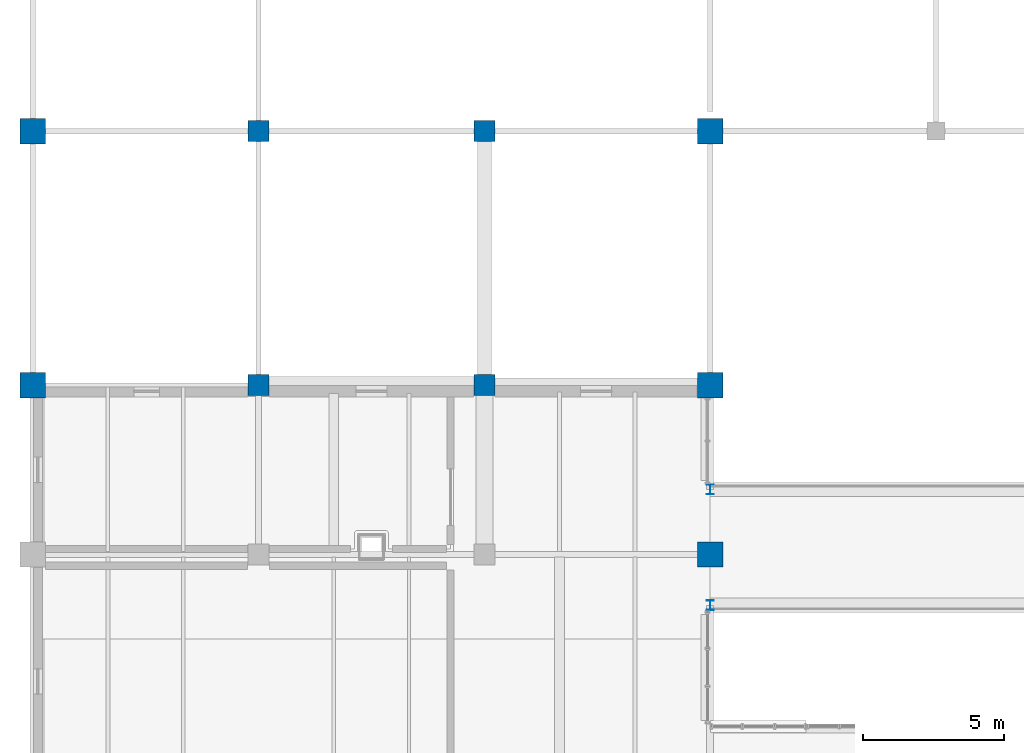
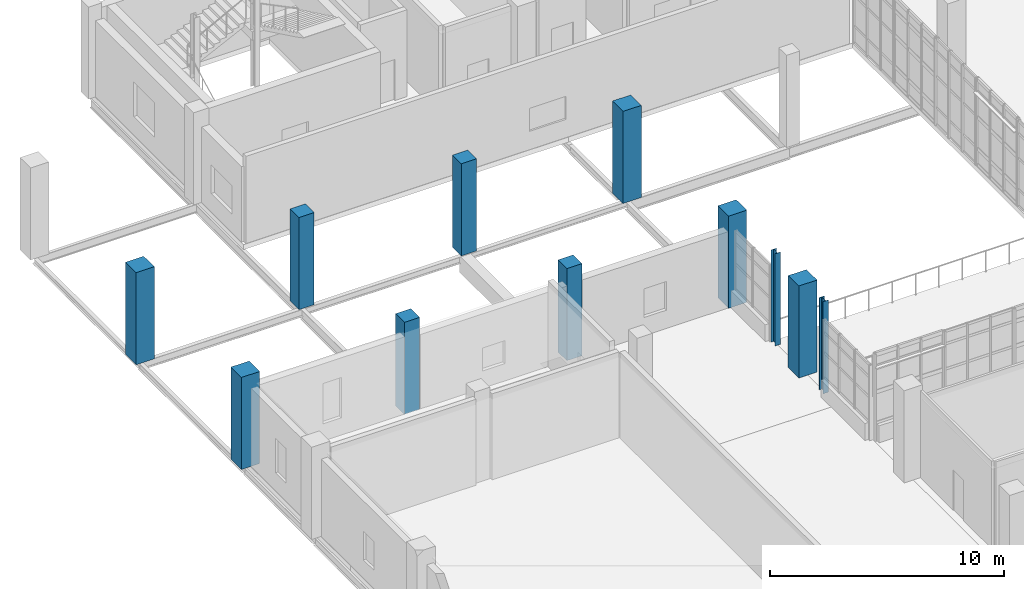
# One storey, part 3 of 100: 11 columns.
"""IFC4 building model written with IfcOpenShell, lengths in metres."""

from ifc_helpers import new_model, si_unit, derived_unit, direction, frame, origin, origin_2d, place, context, subcontext, project, spatial, rectangle, i_section, extrude, material, material_profile, profile_set, type_object, element, save


model = new_model("IFC4")

# Units and contexts
model_context = context("Model", 3, precision=1e-05, world=origin(), true_north=direction((0.0, 1.0)))
body_context = subcontext(model_context, "Body", "Model", "MODEL_VIEW")
ifc_project = project(units=[si_unit("LENGTHUNIT", "METRE"), si_unit("AREAUNIT", "SQUARE_METRE"), si_unit("VOLUMEUNIT", "CUBIC_METRE"), si_unit("PLANEANGLEUNIT", "RADIAN"), si_unit("MASSUNIT", "GRAM", prefix="KILO"), derived_unit("THERMALTRANSMITTANCEUNIT", [(si_unit("POWERUNIT", "WATT"), 1), (si_unit("LENGTHUNIT", "METRE"), -2), (si_unit("THERMODYNAMICTEMPERATUREUNIT", "KELVIN"), -1)])], contexts=[model_context])

# Site, building, storey
site_placement = place(None, origin())
site = spatial("IfcSite", under=ifc_project, at=site_placement, CompositionType="ELEMENT")
building_placement = place(site_placement, origin())
building = spatial("IfcBuilding", under=site, at=building_placement, Name="Nallur Shell Playhouse", CompositionType="ELEMENT")
storey_placement = place(building_placement, frame((0.0, 0.0, 10.199951171875)))
storey = spatial("IfcBuildingStorey", under=building, at=storey_placement, Name="L03", CompositionType="ELEMENT", Elevation=10.199951171875)

# Columns
ifc_material_1 = material(Name="Concrete M40", Category="concrete")
ifc_material_profile_1 = material_profile(ifc_material_1, rectangle(XDim=0.75, YDim=0.75, at=origin_2d()), Name="RC 750x750")
ifc_profile_set_1 = profile_set([ifc_material_profile_1], Name="Concrete M40")
column_type_1 = type_object("IfcColumnType", Name="CL-RC-750", PredefinedType="COLUMN", material=ifc_profile_set_1)
for number, where, z_axis, x_axis, name in (
    (1, (24.0, 56.0, 0.0), (0.0, 0.0, 1.0), (1.0, 0.0, 0.0), "Column 3-G (L03)"),
    (2, (24.0, 65.0, 0.0), (0.0, 0.0, 1.0), (1.0, 0.0, 0.0), "Column 3-H (L03)"),
    (3, (32.0, 56.0, 0.0), (0.0, 0.0, 1.0), (1.0, 0.0, 0.0), "Column 4-G (L03)"),
    (4, (32.0, 65.0, 0.0), (0.0, 0.0, 1.0), (1.0, 0.0, 0.0), "Column 4-H (L03)"),
):
    element("IfcColumn", number, at=place(storey_placement, frame(where, z_axis=z_axis, x_axis=x_axis)), inside=storey, type_object=column_type_1, Name=name, PredefinedType="COLUMN", context=body_context, shape_type="SweptSolid", body=[
        extrude(rectangle(XDim=0.75, YDim=0.75, at=origin_2d()), origin(), (0.0, 0.0, 1.0), 4.800048828125),
    ])
ifc_material_profile_2 = material_profile(ifc_material_1, rectangle(XDim=0.89990234375, YDim=0.89990234375, at=origin_2d()), Name="RC 900x900")
ifc_profile_set_2 = profile_set([ifc_material_profile_2], Name="Concrete M40")
column_type_2 = type_object("IfcColumnType", Name="CL-RC-900", PredefinedType="COLUMN", material=ifc_profile_set_2)
for number, where, z_axis, x_axis, name in (
    (5, (16.0, 56.0, 0.0), (0.0, 0.0, 1.0), (1.0, 0.0, 0.0), "Column 2-G (L03)"),
    (6, (16.0, 65.0, 0.0), (0.0, 0.0, 1.0), (1.0, 0.0, 0.0), "Column 2-H (L03)"),
    (7, (40.0, 50.0, 0.0), (0.0, 0.0, 1.0), (1.0, 0.0, 0.0), "Column 5-F (L03)"),
    (8, (40.0, 56.0, 0.0), (0.0, 0.0, 1.0), (1.0, 0.0, 0.0), "Column 5-G (L03)"),
    (9, (40.0, 65.0, 0.0), (0.0, 0.0, 1.0), (1.0, 0.0, 0.0), "Column 5-H (L03)"),
):
    element("IfcColumn", number, at=place(storey_placement, frame(where, z_axis=z_axis, x_axis=x_axis)), inside=storey, type_object=column_type_2, Name=name, PredefinedType="COLUMN", context=body_context, shape_type="SweptSolid", body=[
        extrude(rectangle(XDim=0.89990234375, YDim=0.89990234375, at=origin_2d()), origin(), (0.0, 0.0, 1.0), 4.800048828125),
    ])
ifc_material_2 = material(Name="Steel E350", Category="steel")
ifc_material_profile_3 = material_profile(ifc_material_2, i_section(OverallWidth=0.25, OverallDepth=0.35009765625, WebThickness=0.010009765625, FlangeThickness=0.01171875, FilletRadius=0.011962890625, at=origin_2d()), Name="ISHB 350")
ifc_profile_set_3 = profile_set([ifc_material_profile_3], Name="Steel E350")
column_type_3 = type_object("IfcColumnType", Name="CL-ST-ISHB350", PredefinedType="COLUMN", material=ifc_profile_set_3)
for number, where, z_axis, x_axis, name in (
    (10, (40.0, 48.199951171875, 0.0), (0.0, 0.0, 1.0), (1.0, 0.0, 0.0), "Column BRCOL-1 (L03)"),
    (11, (40.0, 52.300048828125, 0.0), (0.0, 0.0, 1.0), (1.0, 0.0, 0.0), "Column BRCOL-3 (L03)"),
):
    element("IfcColumn", number, at=place(storey_placement, frame(where, z_axis=z_axis, x_axis=x_axis)), inside=storey, type_object=column_type_3, Name=name, PredefinedType="COLUMN", context=body_context, shape_type="SweptSolid", body=[
        extrude(i_section(OverallWidth=0.25, OverallDepth=0.35009765625, WebThickness=0.010009765625, FlangeThickness=0.01171875, FilletRadius=0.011962890625, at=origin_2d()), origin(), (0.0, 0.0, 1.0), 4.800048828125),
    ])

save(model, "model.ifc")
